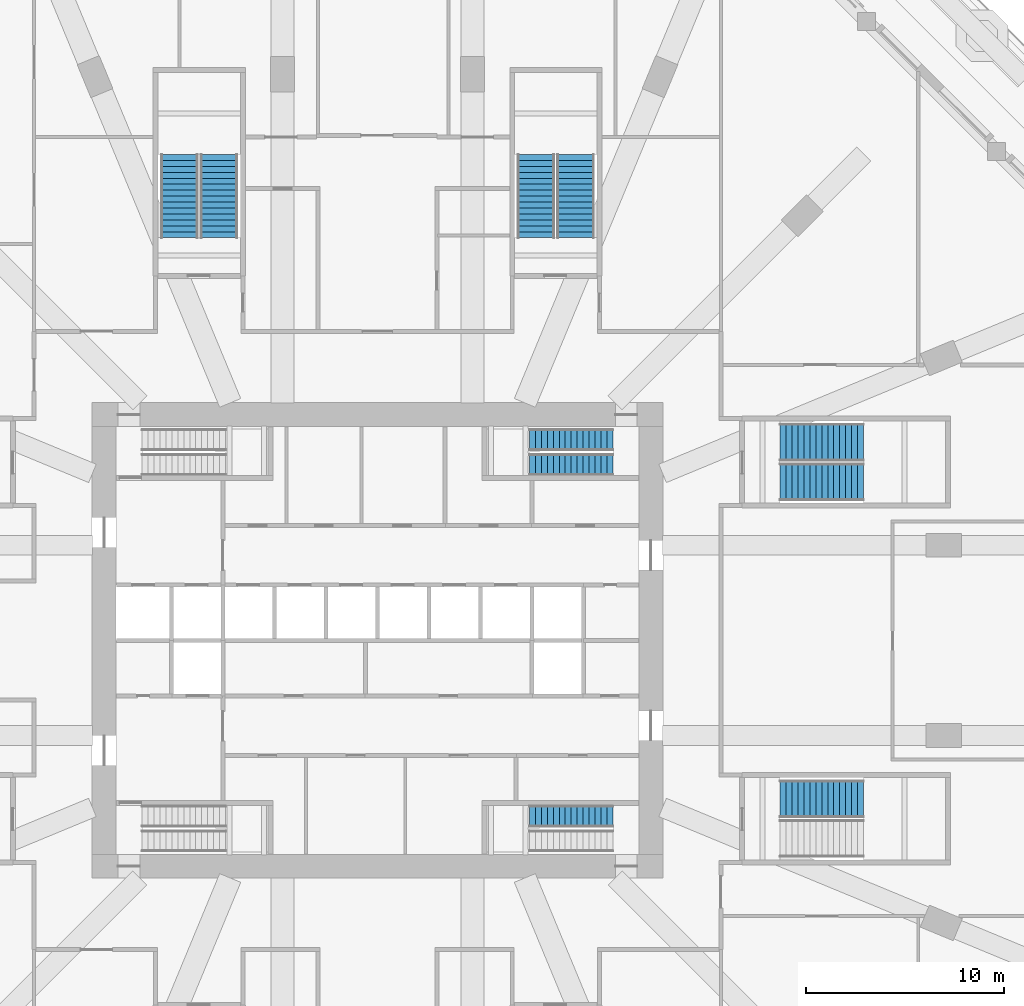
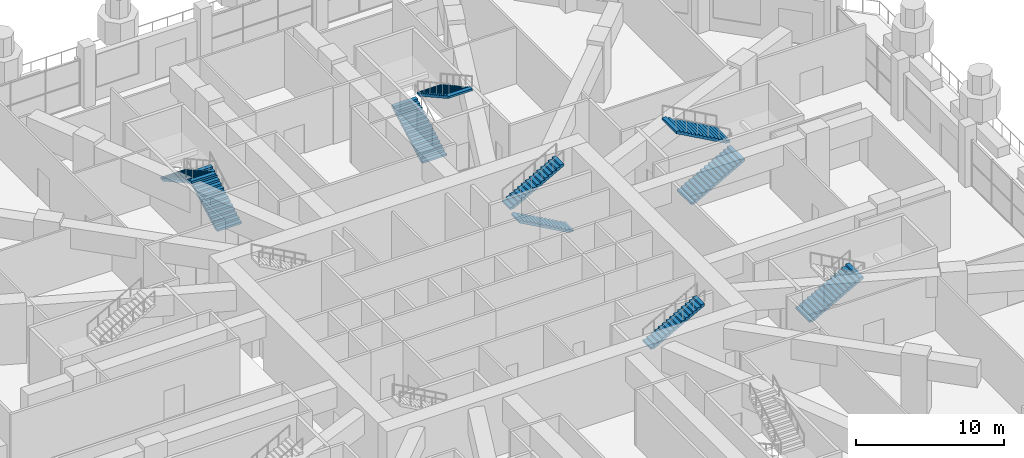
# One storey, part 22 of 25: 10 stair flights, 6 elements without a shape of their own.
"""IFC4 building model written with IfcOpenShell, lengths in metres."""

from ifc_helpers import new_model, si_unit, direction, frame, origin, place, context, subcontext, project, spatial, polyline, outline, extrude, material, type_object, element, aggregate, save


model = new_model("IFC4")

# Units and contexts
model_context = context("Model", 3, precision=1e-05, world=origin(), true_north=direction((0.0, 1.0)))
body_context = subcontext(model_context, "Body", "Model", "MODEL_VIEW")
ifc_project = project(units=[si_unit("LENGTHUNIT", "METRE"), si_unit("AREAUNIT", "SQUARE_METRE"), si_unit("VOLUMEUNIT", "CUBIC_METRE"), si_unit("PLANEANGLEUNIT", "RADIAN"), si_unit("MASSUNIT", "GRAM", prefix="KILO")], contexts=[model_context])

# Site, building, storey
site_placement = place(None, origin())
site = spatial("IfcSite", under=ifc_project, at=site_placement, CompositionType="ELEMENT")
building_placement = place(site_placement, origin())
building = spatial("IfcBuilding", under=site, at=building_placement, Name="Msitu Wima Residences", CompositionType="ELEMENT")
storey_placement = place(building_placement, frame((0.0, 0.0, 11.0)))
storey = spatial("IfcBuildingStorey", under=building, at=storey_placement, Name="L02", CompositionType="ELEMENT", Elevation=11.0)

# Stair, stair flights
ifc_material = material(Name="Concrete C40/50", Category="concrete")
stair_type_1 = type_object("IfcStairType", Name="Exit stair ES1667-110", PredefinedType="HALF_TURN_STAIR", material=ifc_material)
stair_1_placement = place(storey_placement, origin())
stair_1 = element("IfcStair", 1, at=stair_1_placement, inside=storey, type_object=stair_type_1, Name="Exit stair 3", PredefinedType="HALF_TURN_STAIR")
stair_flight_type_1 = type_object("IfcStairFlightType", Name="Exit stair flight ES1667-110", PredefinedType="STRAIGHT", material=ifc_material)
stair_flight_1_placement = place(storey_placement, frame((11.875, 8.875, 0.0), z_axis=(0.0, 0.0, 1.0), x_axis=(-1.0, 0.0, 0.0)))
stair_flight_1 = element("IfcStairFlight", 2, at=stair_flight_1_placement, type_object=stair_flight_type_1, Name="S3 flight 1", NumberOfRisers=15, NumberOfTreads=14, PredefinedType="STRAIGHT", RiserHeight=0.166666667, TreadLength=0.3, context=body_context, shape_type="SweptSolid", body=[
    extrude(outline(polyline([(0.0, 0.0), (0.0, 0.166748046875), (0.300048828125, 0.166748046875), (0.300048828125, 0.333251953125), (0.60009765625, 0.333251953125), (0.60009765625, 0.5), (0.89990234375, 0.5), (0.89990234375, 0.666748046875), (1.199951171875, 0.666748046875), (1.199951171875, 0.833251953125), (1.5, 0.833251953125), (1.5, 1.0), (1.800048828125, 1.0), (1.800048828125, 1.166748046875), (2.10009765625, 1.166748046875), (2.10009765625, 1.333251953125), (2.39990234375, 1.333251953125), (2.39990234375, 1.5), (2.699951171875, 1.5), (2.699951171875, 1.666748046875), (3.0, 1.666748046875), (3.0, 1.833251953125), (3.300048828125, 1.833251953125), (3.300048828125, 2.0), (3.60009765625, 2.0), (3.60009765625, 2.166748046875), (3.89990234375, 2.166748046875), (3.89990234375, 2.333251953125), (4.199951171875, 2.333251953125), (4.199951171875, 2.5), (4.199951171875, 2.161865234375), (0.30859375, 0.0), (0.0, 0.0)])), frame((0.0, 0.550048828125, 0.0), z_axis=(0.0, -1.0, 0.0), x_axis=(1.0, 0.0, 0.0)), (0.0, 0.0, 1.0), 1.10009765625),
])
stair_flight_2_placement = place(storey_placement, frame((7.675048828125, 10.125, 2.5), z_axis=(0.0, 0.0, 1.0), x_axis=(1.0, 0.0, 0.0)))
stair_flight_2 = element("IfcStairFlight", 3, at=stair_flight_2_placement, type_object=stair_flight_type_1, Name="S3 flight 2", NumberOfRisers=15, NumberOfTreads=14, PredefinedType="STRAIGHT", RiserHeight=0.166666667, TreadLength=0.3, context=body_context, shape_type="SweptSolid", body=[
    extrude(outline(polyline([(0.0, 0.0), (0.0, 0.166748046875), (0.300048828125, 0.166748046875), (0.300048828125, 0.333251953125), (0.60009765625, 0.333251953125), (0.60009765625, 0.5), (0.89990234375, 0.5), (0.89990234375, 0.666748046875), (1.199951171875, 0.666748046875), (1.199951171875, 0.833251953125), (1.5, 0.833251953125), (1.5, 1.0), (1.800048828125, 1.0), (1.800048828125, 1.166748046875), (2.10009765625, 1.166748046875), (2.10009765625, 1.333251953125), (2.39990234375, 1.333251953125), (2.39990234375, 1.5), (2.699951171875, 1.5), (2.699951171875, 1.666748046875), (3.0, 1.666748046875), (3.0, 1.833251953125), (3.300048828125, 1.833251953125), (3.300048828125, 2.0), (3.60009765625, 2.0), (3.60009765625, 2.166748046875), (3.89990234375, 2.166748046875), (3.89990234375, 2.333251953125), (4.199951171875, 2.333251953125), (4.199951171875, 2.5), (4.199951171875, 2.161865234375), (0.30859375, 0.0), (0.0, 0.0)])), frame((0.0, 0.550048828125, 0.0), z_axis=(0.0, -1.0, 0.0), x_axis=(1.0, 0.0, 0.0)), (0.0, 0.0, 1.0), 1.10009765625),
])
aggregate(stair_1, [stair_flight_1, stair_flight_2])

# Stair, stair flight
stair_2_placement = place(storey_placement, origin())
stair_2 = element("IfcStair", 4, at=stair_2_placement, inside=storey, type_object=stair_type_1, Name="Exit stair 4", PredefinedType="HALF_TURN_STAIR")
stair_flight_3_placement = place(storey_placement, frame((7.675048828125, -8.875, 2.5), z_axis=(0.0, 0.0, 1.0), x_axis=(1.0, 0.0, 0.0)))
stair_flight_3 = element("IfcStairFlight", 5, at=stair_flight_3_placement, type_object=stair_flight_type_1, Name="S4 flight 2", NumberOfRisers=15, NumberOfTreads=14, PredefinedType="STRAIGHT", RiserHeight=0.166666667, TreadLength=0.3, context=body_context, shape_type="SweptSolid", body=[
    extrude(outline(polyline([(0.0, 0.0), (0.0, 0.166748046875), (0.300048828125, 0.166748046875), (0.300048828125, 0.333251953125), (0.60009765625, 0.333251953125), (0.60009765625, 0.5), (0.89990234375, 0.5), (0.89990234375, 0.666748046875), (1.199951171875, 0.666748046875), (1.199951171875, 0.833251953125), (1.5, 0.833251953125), (1.5, 1.0), (1.800048828125, 1.0), (1.800048828125, 1.166748046875), (2.10009765625, 1.166748046875), (2.10009765625, 1.333251953125), (2.39990234375, 1.333251953125), (2.39990234375, 1.5), (2.699951171875, 1.5), (2.699951171875, 1.666748046875), (3.0, 1.666748046875), (3.0, 1.833251953125), (3.300048828125, 1.833251953125), (3.300048828125, 2.0), (3.60009765625, 2.0), (3.60009765625, 2.166748046875), (3.89990234375, 2.166748046875), (3.89990234375, 2.333251953125), (4.199951171875, 2.333251953125), (4.199951171875, 2.5), (4.199951171875, 2.161865234375), (0.30859375, 0.0), (0.0, 0.0)])), frame((0.0, 0.550048828125, 0.0), z_axis=(0.0, -1.0, 0.0), x_axis=(1.0, 0.0, 0.0)), (0.0, 0.0, 1.0), 1.10009765625),
])
aggregate(stair_2, [stair_flight_3])

# Stair, stair flights
stair_type_2 = type_object("IfcStairType", Name="Podium exit stair PX1667-190", PredefinedType="HALF_TURN_STAIR", material=ifc_material)
stair_3_placement = place(storey_placement, origin())
stair_3 = element("IfcStair", 6, at=stair_3_placement, inside=storey, type_object=stair_type_2, Name="Podium exit stair 1", PredefinedType="HALF_TURN_STAIR")
stair_flight_type_2 = type_object("IfcStairFlightType", Name="Podium exit stair flight PX1667-190", PredefinedType="STRAIGHT", material=ifc_material)
stair_flight_4_placement = place(storey_placement, frame((20.324951171875, 8.0, 0.0), z_axis=(0.0, 0.0, 1.0), x_axis=(1.0, 0.0, 0.0)))
stair_flight_4 = element("IfcStairFlight", 7, at=stair_flight_4_placement, type_object=stair_flight_type_2, Name="PS1 flight 1", NumberOfRisers=15, NumberOfTreads=14, PredefinedType="STRAIGHT", RiserHeight=0.166666667, TreadLength=0.3, context=body_context, shape_type="SweptSolid", body=[
    extrude(outline(polyline([(0.0, 0.0), (0.0, 0.166748046875), (0.300048828125, 0.166748046875), (0.300048828125, 0.333251953125), (0.60009765625, 0.333251953125), (0.60009765625, 0.5), (0.89990234375, 0.5), (0.89990234375, 0.666748046875), (1.199951171875, 0.666748046875), (1.199951171875, 0.833251953125), (1.5, 0.833251953125), (1.5, 1.0), (1.800048828125, 1.0), (1.800048828125, 1.166748046875), (2.10009765625, 1.166748046875), (2.10009765625, 1.333251953125), (2.39990234375, 1.333251953125), (2.39990234375, 1.5), (2.699951171875, 1.5), (2.699951171875, 1.666748046875), (3.0, 1.666748046875), (3.0, 1.833251953125), (3.300048828125, 1.833251953125), (3.300048828125, 2.0), (3.60009765625, 2.0), (3.60009765625, 2.166748046875), (3.89990234375, 2.166748046875), (3.89990234375, 2.333251953125), (4.199951171875, 2.333251953125), (4.199951171875, 2.5), (4.199951171875, 2.161865234375), (0.30859375, 0.0), (0.0, 0.0)])), frame((0.0, 0.949951171875, 0.0), z_axis=(0.0, -1.0, 0.0), x_axis=(1.0, 0.0, 0.0)), (0.0, 0.0, 1.0), 1.89990234375),
])
stair_flight_5_placement = place(storey_placement, frame((24.52490234375, 10.0, 2.5), z_axis=(0.0, 0.0, 1.0), x_axis=(-1.0, 0.0, 0.0)))
stair_flight_5 = element("IfcStairFlight", 8, at=stair_flight_5_placement, type_object=stair_flight_type_2, Name="PS1 flight 2", NumberOfRisers=15, NumberOfTreads=14, PredefinedType="STRAIGHT", RiserHeight=0.166666667, TreadLength=0.3, context=body_context, shape_type="SweptSolid", body=[
    extrude(outline(polyline([(0.0, 0.0), (0.0, 0.166748046875), (0.300048828125, 0.166748046875), (0.300048828125, 0.333251953125), (0.60009765625, 0.333251953125), (0.60009765625, 0.5), (0.89990234375, 0.5), (0.89990234375, 0.666748046875), (1.199951171875, 0.666748046875), (1.199951171875, 0.833251953125), (1.5, 0.833251953125), (1.5, 1.0), (1.800048828125, 1.0), (1.800048828125, 1.166748046875), (2.10009765625, 1.166748046875), (2.10009765625, 1.333251953125), (2.39990234375, 1.333251953125), (2.39990234375, 1.5), (2.699951171875, 1.5), (2.699951171875, 1.666748046875), (3.0, 1.666748046875), (3.0, 1.833251953125), (3.300048828125, 1.833251953125), (3.300048828125, 2.0), (3.60009765625, 2.0), (3.60009765625, 2.166748046875), (3.89990234375, 2.166748046875), (3.89990234375, 2.333251953125), (4.199951171875, 2.333251953125), (4.199951171875, 2.5), (4.199951171875, 2.161865234375), (0.30859375, 0.0), (0.0, 0.0)])), frame((0.0, 0.949951171875, 0.0), z_axis=(0.0, -1.0, 0.0), x_axis=(1.0, 0.0, 0.0)), (0.0, 0.0, 1.0), 1.89990234375),
])
aggregate(stair_3, [stair_flight_4, stair_flight_5])

# Stair, stair flight
stair_4_placement = place(storey_placement, origin())
stair_4 = element("IfcStair", 9, at=stair_4_placement, inside=storey, type_object=stair_type_2, Name="Podium exit stair 2", PredefinedType="HALF_TURN_STAIR")
stair_flight_6_placement = place(storey_placement, frame((20.324951171875, -8.0, 0.0), z_axis=(0.0, 0.0, 1.0), x_axis=(1.0, 0.0, 0.0)))
stair_flight_6 = element("IfcStairFlight", 10, at=stair_flight_6_placement, type_object=stair_flight_type_2, Name="PS2 flight 1", NumberOfRisers=15, NumberOfTreads=14, PredefinedType="STRAIGHT", RiserHeight=0.166666667, TreadLength=0.3, context=body_context, shape_type="SweptSolid", body=[
    extrude(outline(polyline([(0.0, 0.0), (0.0, 0.166748046875), (0.300048828125, 0.166748046875), (0.300048828125, 0.333251953125), (0.60009765625, 0.333251953125), (0.60009765625, 0.5), (0.89990234375, 0.5), (0.89990234375, 0.666748046875), (1.199951171875, 0.666748046875), (1.199951171875, 0.833251953125), (1.5, 0.833251953125), (1.5, 1.0), (1.800048828125, 1.0), (1.800048828125, 1.166748046875), (2.10009765625, 1.166748046875), (2.10009765625, 1.333251953125), (2.39990234375, 1.333251953125), (2.39990234375, 1.5), (2.699951171875, 1.5), (2.699951171875, 1.666748046875), (3.0, 1.666748046875), (3.0, 1.833251953125), (3.300048828125, 1.833251953125), (3.300048828125, 2.0), (3.60009765625, 2.0), (3.60009765625, 2.166748046875), (3.89990234375, 2.166748046875), (3.89990234375, 2.333251953125), (4.199951171875, 2.333251953125), (4.199951171875, 2.5), (4.199951171875, 2.161865234375), (0.30859375, 0.0), (0.0, 0.0)])), frame((0.0, 0.949951171875, 0.0), z_axis=(0.0, -1.0, 0.0), x_axis=(1.0, 0.0, 0.0)), (0.0, 0.0, 1.0), 1.89990234375),
])
aggregate(stair_4, [stair_flight_6])

# Stair, stair flights
stair_5_placement = place(storey_placement, origin())
stair_5 = element("IfcStair", 11, at=stair_5_placement, inside=storey, type_object=stair_type_2, Name="Podium exit stair 3", PredefinedType="HALF_TURN_STAIR")
stair_flight_7_placement = place(storey_placement, frame((-8.0, 20.324951171875, 0.0), z_axis=(0.0, 0.0, 1.0), x_axis=(0.0, 1.0, 0.0)))
stair_flight_7 = element("IfcStairFlight", 12, at=stair_flight_7_placement, type_object=stair_flight_type_2, Name="PS3 flight 1", NumberOfRisers=15, NumberOfTreads=14, PredefinedType="STRAIGHT", RiserHeight=0.166666667, TreadLength=0.3, context=body_context, shape_type="SweptSolid", body=[
    extrude(outline(polyline([(0.0, 0.0), (0.0, 0.166748046875), (0.300048828125, 0.166748046875), (0.300048828125, 0.333251953125), (0.60009765625, 0.333251953125), (0.60009765625, 0.5), (0.89990234375, 0.5), (0.89990234375, 0.666748046875), (1.199951171875, 0.666748046875), (1.199951171875, 0.833251953125), (1.5, 0.833251953125), (1.5, 1.0), (1.800048828125, 1.0), (1.800048828125, 1.166748046875), (2.10009765625, 1.166748046875), (2.10009765625, 1.333251953125), (2.39990234375, 1.333251953125), (2.39990234375, 1.5), (2.699951171875, 1.5), (2.699951171875, 1.666748046875), (3.0, 1.666748046875), (3.0, 1.833251953125), (3.300048828125, 1.833251953125), (3.300048828125, 2.0), (3.60009765625, 2.0), (3.60009765625, 2.166748046875), (3.89990234375, 2.166748046875), (3.89990234375, 2.333251953125), (4.199951171875, 2.333251953125), (4.199951171875, 2.5), (4.199951171875, 2.161865234375), (0.30859375, 0.0), (0.0, 0.0)])), frame((0.0, 0.949951171875, 0.0), z_axis=(0.0, -1.0, 0.0), x_axis=(1.0, 0.0, 0.0)), (0.0, 0.0, 1.0), 1.89990234375),
])
stair_flight_8_placement = place(storey_placement, frame((-10.0, 24.52490234375, 2.5), z_axis=(0.0, 0.0, 1.0), x_axis=(0.0, -1.0, 0.0)))
stair_flight_8 = element("IfcStairFlight", 13, at=stair_flight_8_placement, type_object=stair_flight_type_2, Name="PS3 flight 2", NumberOfRisers=15, NumberOfTreads=14, PredefinedType="STRAIGHT", RiserHeight=0.166666667, TreadLength=0.3, context=body_context, shape_type="SweptSolid", body=[
    extrude(outline(polyline([(0.0, 0.0), (0.0, 0.166748046875), (0.300048828125, 0.166748046875), (0.300048828125, 0.333251953125), (0.60009765625, 0.333251953125), (0.60009765625, 0.5), (0.89990234375, 0.5), (0.89990234375, 0.666748046875), (1.199951171875, 0.666748046875), (1.199951171875, 0.833251953125), (1.5, 0.833251953125), (1.5, 1.0), (1.800048828125, 1.0), (1.800048828125, 1.166748046875), (2.10009765625, 1.166748046875), (2.10009765625, 1.333251953125), (2.39990234375, 1.333251953125), (2.39990234375, 1.5), (2.699951171875, 1.5), (2.699951171875, 1.666748046875), (3.0, 1.666748046875), (3.0, 1.833251953125), (3.300048828125, 1.833251953125), (3.300048828125, 2.0), (3.60009765625, 2.0), (3.60009765625, 2.166748046875), (3.89990234375, 2.166748046875), (3.89990234375, 2.333251953125), (4.199951171875, 2.333251953125), (4.199951171875, 2.5), (4.199951171875, 2.161865234375), (0.30859375, 0.0), (0.0, 0.0)])), frame((0.0, 0.949951171875, 0.0), z_axis=(0.0, -1.0, 0.0), x_axis=(1.0, 0.0, 0.0)), (0.0, 0.0, 1.0), 1.89990234375),
])
aggregate(stair_5, [stair_flight_7, stair_flight_8])

stair_6_placement = place(storey_placement, origin())
stair_6 = element("IfcStair", 14, at=stair_6_placement, inside=storey, type_object=stair_type_2, Name="Podium exit stair 4", PredefinedType="HALF_TURN_STAIR")
stair_flight_9_placement = place(storey_placement, frame((8.0, 20.324951171875, 0.0), z_axis=(0.0, 0.0, 1.0), x_axis=(0.0, 1.0, 0.0)))
stair_flight_9 = element("IfcStairFlight", 15, at=stair_flight_9_placement, type_object=stair_flight_type_2, Name="PS4 flight 1", NumberOfRisers=15, NumberOfTreads=14, PredefinedType="STRAIGHT", RiserHeight=0.166666667, TreadLength=0.3, context=body_context, shape_type="SweptSolid", body=[
    extrude(outline(polyline([(0.0, 0.0), (0.0, 0.166748046875), (0.300048828125, 0.166748046875), (0.300048828125, 0.333251953125), (0.60009765625, 0.333251953125), (0.60009765625, 0.5), (0.89990234375, 0.5), (0.89990234375, 0.666748046875), (1.199951171875, 0.666748046875), (1.199951171875, 0.833251953125), (1.5, 0.833251953125), (1.5, 1.0), (1.800048828125, 1.0), (1.800048828125, 1.166748046875), (2.10009765625, 1.166748046875), (2.10009765625, 1.333251953125), (2.39990234375, 1.333251953125), (2.39990234375, 1.5), (2.699951171875, 1.5), (2.699951171875, 1.666748046875), (3.0, 1.666748046875), (3.0, 1.833251953125), (3.300048828125, 1.833251953125), (3.300048828125, 2.0), (3.60009765625, 2.0), (3.60009765625, 2.166748046875), (3.89990234375, 2.166748046875), (3.89990234375, 2.333251953125), (4.199951171875, 2.333251953125), (4.199951171875, 2.5), (4.199951171875, 2.161865234375), (0.30859375, 0.0), (0.0, 0.0)])), frame((0.0, 0.949951171875, 0.0), z_axis=(0.0, -1.0, 0.0), x_axis=(1.0, 0.0, 0.0)), (0.0, 0.0, 1.0), 1.89990234375),
])
stair_flight_10_placement = place(storey_placement, frame((10.0, 24.52490234375, 2.5), z_axis=(0.0, 0.0, 1.0), x_axis=(0.0, -1.0, 0.0)))
stair_flight_10 = element("IfcStairFlight", 16, at=stair_flight_10_placement, type_object=stair_flight_type_2, Name="PS4 flight 2", NumberOfRisers=15, NumberOfTreads=14, PredefinedType="STRAIGHT", RiserHeight=0.166666667, TreadLength=0.3, context=body_context, shape_type="SweptSolid", body=[
    extrude(outline(polyline([(0.0, 0.0), (0.0, 0.166748046875), (0.300048828125, 0.166748046875), (0.300048828125, 0.333251953125), (0.60009765625, 0.333251953125), (0.60009765625, 0.5), (0.89990234375, 0.5), (0.89990234375, 0.666748046875), (1.199951171875, 0.666748046875), (1.199951171875, 0.833251953125), (1.5, 0.833251953125), (1.5, 1.0), (1.800048828125, 1.0), (1.800048828125, 1.166748046875), (2.10009765625, 1.166748046875), (2.10009765625, 1.333251953125), (2.39990234375, 1.333251953125), (2.39990234375, 1.5), (2.699951171875, 1.5), (2.699951171875, 1.666748046875), (3.0, 1.666748046875), (3.0, 1.833251953125), (3.300048828125, 1.833251953125), (3.300048828125, 2.0), (3.60009765625, 2.0), (3.60009765625, 2.166748046875), (3.89990234375, 2.166748046875), (3.89990234375, 2.333251953125), (4.199951171875, 2.333251953125), (4.199951171875, 2.5), (4.199951171875, 2.161865234375), (0.30859375, 0.0), (0.0, 0.0)])), frame((0.0, 0.949951171875, 0.0), z_axis=(0.0, -1.0, 0.0), x_axis=(1.0, 0.0, 0.0)), (0.0, 0.0, 1.0), 1.89990234375),
])
aggregate(stair_6, [stair_flight_9, stair_flight_10])

save(model, "model.ifc")
